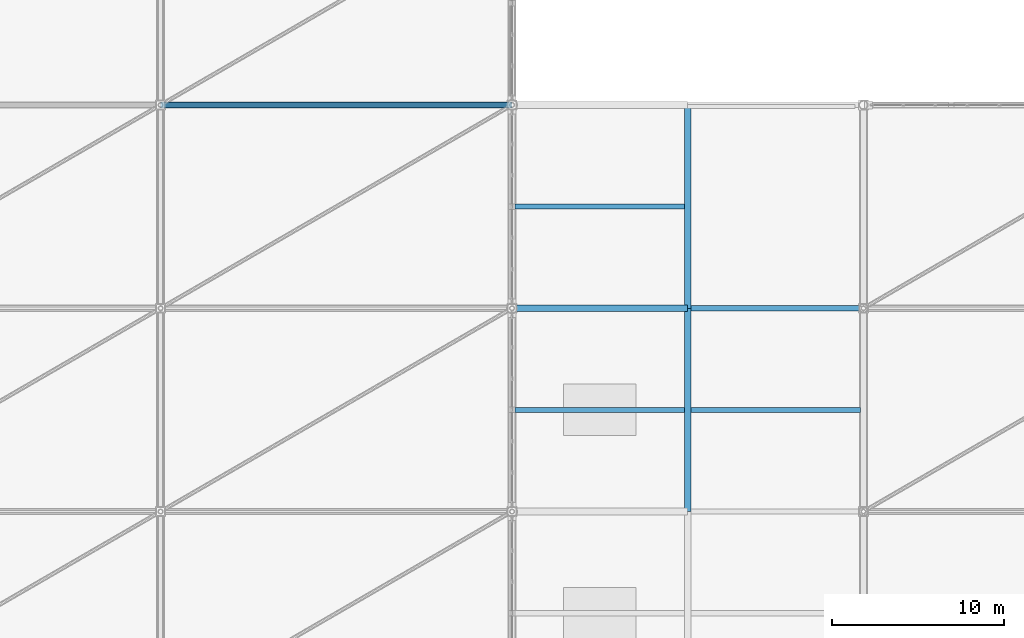
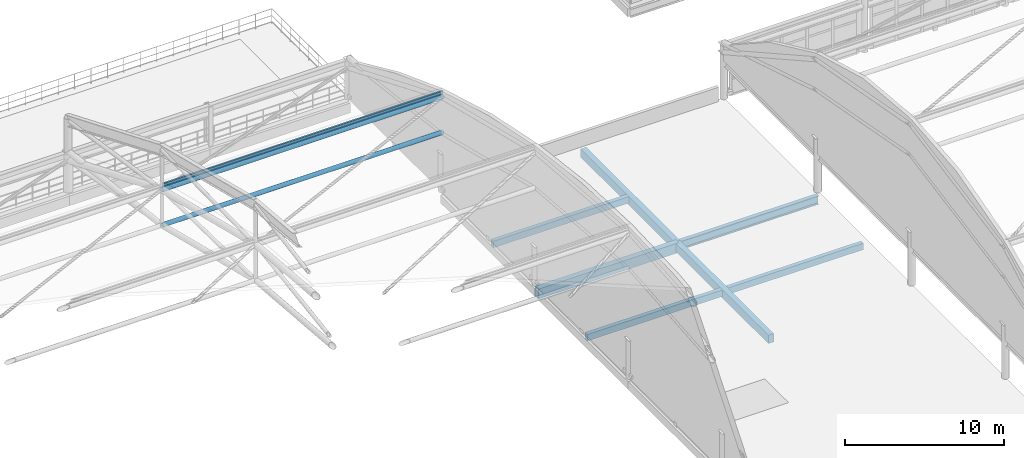
# One storey, part 63 of 135: 7 beams, 3 members.
"""IFC4 building model written with IfcOpenShell, lengths in metres."""

from ifc_helpers import new_model, si_unit, direction, frame, origin, origin_2d, place, context, subcontext, project, spatial, rectangle, hollow_circle, i_section, extrude, material, material_profile, profile_set, type_object, element, save


model = new_model("IFC4")

# Units and contexts
model_context = context("Model", 3, precision=1e-05, world=origin(), true_north=direction((0.0, 1.0)))
body_context = subcontext(model_context, "Body", "Model", "MODEL_VIEW")
ifc_project = project(units=[si_unit("LENGTHUNIT", "METRE"), si_unit("AREAUNIT", "SQUARE_METRE"), si_unit("VOLUMEUNIT", "CUBIC_METRE"), si_unit("PLANEANGLEUNIT", "RADIAN"), si_unit("MASSUNIT", "GRAM", prefix="KILO")], contexts=[model_context])

# Site, building, storey
site_placement = place(None, origin())
site = spatial("IfcSite", under=ifc_project, at=site_placement, CompositionType="ELEMENT")
building_placement = place(site_placement, origin())
building = spatial("IfcBuilding", under=site, at=building_placement, Name="Brelvane Convention Centre", CompositionType="ELEMENT")
storey_placement = place(building_placement, frame((0.0, 0.0, 15.0)))
storey = spatial("IfcBuildingStorey", under=building, at=storey_placement, Name="L03", CompositionType="ELEMENT", Elevation=15.0)

# Beams
ifc_material_1 = material(Name="Concrete M40", Category="concrete")
ifc_material_profile_1 = material_profile(ifc_material_1, rectangle(XDim=0.39990234375, YDim=0.75, at=origin_2d()), Name="RC 400x750")
ifc_profile_set_1 = profile_set([ifc_material_profile_1], Name="Concrete M40")
beam_type_1 = type_object("IfcBeamType", Name="RC Beam B-RC6 (RC 400x750)", PredefinedType="BEAM", material=ifc_profile_set_1)
beam_1_placement = place(storey_placement, frame((142.800048828125, 76.0, -0.675048828125), z_axis=(1.0, 0.0, 0.0), x_axis=(0.0, 1.0, 0.0)))
element("IfcBeam", 1, at=beam_1_placement, inside=storey, type_object=beam_type_1, Name="L03 Beam 15-16/H", PredefinedType="BEAM", context=body_context, shape_type="SweptSolid", body=[
    extrude(rectangle(XDim=0.39990234375, YDim=0.75, at=origin_2d()), origin(), (0.0, 0.0, 1.0), 10.199951171875),
])
ifc_material_2 = material(Name="Concrete M40", Category="concrete")
ifc_material_profile_2 = material_profile(ifc_material_2, rectangle(XDim=0.39990234375, YDim=0.64990234375, at=origin_2d()), Name="RC 400x650")
ifc_profile_set_2 = profile_set([ifc_material_profile_2], Name="Concrete M40")
beam_type_2 = type_object("IfcBeamType", Name="RC Beam B-RC7 (RC 400x650)", PredefinedType="BEAM", material=ifc_profile_set_2)
for number, where, z_axis, x_axis, name in (
    (2, (153.0, 64.199951171875, -0.625), (0.0, 1.0, 0.0), (-1.0, 0.0, 0.0), "L03 Girder 16/G-H"),
    (3, (153.0, 76.0, -0.625), (0.0, 1.0, 0.0), (-1.0, 0.0, 0.0), "L03 Girder 16/H-J"),
):
    element("IfcBeam", number, at=place(storey_placement, frame(where, z_axis=z_axis, x_axis=x_axis)), inside=storey, type_object=beam_type_2, Name=name, PredefinedType="BEAM", context=body_context, shape_type="SweptSolid", body=[
        extrude(rectangle(XDim=0.39990234375, YDim=0.64990234375, at=origin_2d()), origin(), (0.0, 0.0, 1.0), 11.800048828125),
    ])
ifc_material_3 = material(Name="Concrete M40", Category="concrete")
ifc_material_profile_3 = material_profile(ifc_material_3, rectangle(XDim=0.300048828125, YDim=0.5, at=origin_2d()), Name="RC 300x500")
ifc_profile_set_3 = profile_set([ifc_material_profile_3], Name="Concrete M40")
beam_type_3 = type_object("IfcBeamType", Name="RC Joist J-RC2 (RC 300x500)", PredefinedType="JOIST", material=ifc_profile_set_3)
for number, where, z_axis, x_axis, name in (
    (4, (142.97509765625, 70.10009765625, -0.550048828125), (1.0, 0.0, 0.0), (0.0, 1.0, 0.0), "L03 Secondary Joist 15-16/GH"),
    (5, (142.97509765625, 81.89990234375, -0.550048828125), (1.0, 0.0, 0.0), (0.0, 1.0, 0.0), "L03 Secondary Joist 15-16/HJ"),
    (6, (153.199951171875, 70.10009765625, -0.550048828125), (1.0, 0.0, 0.0), (0.0, 1.0, 0.0), "L03 Secondary Joist 16-17/GH"),
):
    element("IfcBeam", number, at=place(storey_placement, frame(where, z_axis=z_axis, x_axis=x_axis)), inside=storey, type_object=beam_type_3, Name=name, PredefinedType="JOIST", context=body_context, shape_type="SweptSolid", body=[
        extrude(rectangle(XDim=0.300048828125, YDim=0.5, at=origin_2d()), origin(), (0.0, 0.0, 1.0), 9.824951171875),
    ])
ifc_material_4 = material(Name="Steel E350 (350 MPa)", Category="steel")
ifc_material_profile_4 = material_profile(ifc_material_4, i_section(OverallWidth=0.300048828125, OverallDepth=0.64990234375, WebThickness=0.014404296875, FlangeThickness=0.02587890625, FilletRadius=0.02392578125, at=origin_2d()), Name="NPB 650x300")
ifc_profile_set_4 = profile_set([ifc_material_profile_4], Name="Steel E350 (350 MPa)")
beam_type_4 = type_object("IfcBeamType", Name="Steel Beam B-ST4 (NPB 650x300)", PredefinedType="BEAM", material=ifc_profile_set_4)
beam_2_placement = place(storey_placement, frame((153.0, 76.0, -0.625), z_axis=(1.0, 0.0, 0.0), x_axis=(0.0, 1.0, 0.0)))
element("IfcBeam", 7, at=beam_2_placement, inside=storey, type_object=beam_type_4, Name="L03 Beam 16-17/H", PredefinedType="BEAM", context=body_context, shape_type="SweptSolid", body=[
    extrude(i_section(OverallWidth=0.300048828125, OverallDepth=0.64990234375, WebThickness=0.014404296875, FlangeThickness=0.02587890625, FilletRadius=0.02392578125, at=origin_2d()), origin(), (0.0, 0.0, 1.0), 10.199951171875),
])

# Members
ifc_material_5 = material(Name="Steel E350 (350 MPa)", Category="steel")
ifc_material_profile_5 = material_profile(ifc_material_5, hollow_circle(Radius=0.161865234375, WallThickness=0.012451171875, at=origin_2d()), Name="CHS 323.9x12.5")
ifc_profile_set_5 = profile_set([ifc_material_profile_5], Name="Steel E350 (350 MPa)")
member_type_1 = type_object("IfcMemberType", Name="Steel Chord SF-BC2 (CHS 323.9x12.5)", PredefinedType="CHORD", material=ifc_profile_set_5)
member_1_placement = place(storey_placement, frame((122.39990234375, 87.800048828125, 4.489013671875), z_axis=(1.0, 0.0, 0.0), x_axis=(0.0, 1.0, 0.0)))
element("IfcMember", 8, at=member_1_placement, inside=storey, type_object=member_type_1, Name="SF_EXH Longitudinal Bottom Chord LB7.6", PredefinedType="CHORD", context=body_context, shape_type="SweptSolid", body=[
    extrude(hollow_circle(Radius=0.161865234375, WallThickness=0.012451171875, at=origin_2d()), origin(), (0.0, 0.0, 1.0), 20.400146484375),
])
ifc_material_6 = material(Name="Steel E450 (450 MPa)", Category="steel")
ifc_material_profile_6 = material_profile(ifc_material_6, hollow_circle(Radius=0.177734375, WallThickness=0.01611328125, at=origin_2d()), Name="CHS 355.6x16.0")
ifc_profile_set_6 = profile_set([ifc_material_profile_6], Name="Steel E450 (450 MPa)")
member_type_2 = type_object("IfcMemberType", Name="Steel Chord SF-TC2 (CHS 355.6x16.0)", PredefinedType="CHORD", material=ifc_profile_set_6)
member_2_placement = place(storey_placement, frame((122.39990234375, 87.800048828125, 7.22900390625), z_axis=(1.0, 0.0, 0.0), x_axis=(0.0, 1.0, 0.0)))
element("IfcMember", 9, at=member_2_placement, inside=storey, type_object=member_type_2, Name="SF_EXH Longitudinal Top Chord LT7.6", PredefinedType="CHORD", context=body_context, shape_type="SweptSolid", body=[
    extrude(hollow_circle(Radius=0.177734375, WallThickness=0.01611328125, at=origin_2d()), origin(), (0.0, 0.0, 1.0), 20.400146484375),
])
ifc_material_7 = material(Name="Steel E350 (350 MPa)", Category="steel")
ifc_material_profile_7 = material_profile(ifc_material_7, i_section(OverallWidth=0.125, OverallDepth=0.25, WebThickness=0.0068359375, FlangeThickness=0.012451171875, FilletRadius=0.012939453125, at=origin_2d()), Name="ISMB 250")
ifc_profile_set_7 = profile_set([ifc_material_profile_7], Name="Steel E350 (350 MPa)")
member_type_3 = type_object("IfcMemberType", Name="Steel Purlin PR-ST1 (ISMB 250)", PredefinedType="PURLIN", material=ifc_profile_set_7)
member_3_placement = place(storey_placement, frame((122.39990234375, 87.800048828125, 7.56396484375), z_axis=(1.0, 0.0, 0.0), x_axis=(0.0, 1.0, 0.0)))
element("IfcMember", 10, at=member_3_placement, inside=storey, type_object=member_type_3, Name="SF_EXH Roof Purlin P7.6", PredefinedType="PURLIN", context=body_context, shape_type="SweptSolid", body=[
    extrude(i_section(OverallWidth=0.125, OverallDepth=0.25, WebThickness=0.0068359375, FlangeThickness=0.012451171875, FilletRadius=0.012939453125, at=origin_2d()), origin(), (0.0, 0.0, 1.0), 20.400146484375),
])

save(model, "model.ifc")
